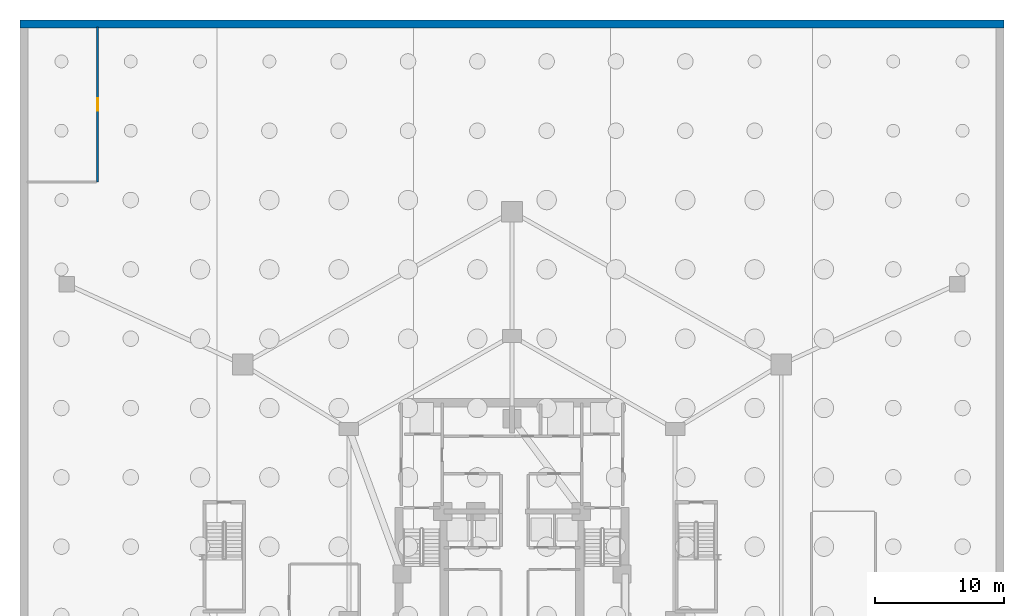
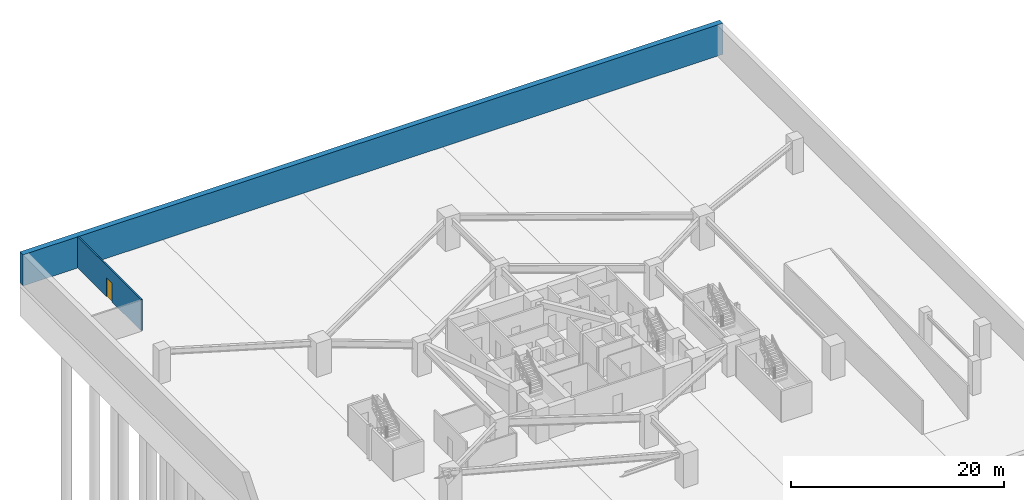
# One storey, part 10 of 14: 2 walls, 1 door, 1 opening.
"""IFC4 building model written with IfcOpenShell, lengths in metres."""

from ifc_helpers import new_model, si_unit, direction, frame, frame_2d, origin, place, context, subcontext, project, spatial, rectangle, extrude, material, layer, layer_set, type_object, element, fill, save


model = new_model("IFC4")

# Units and contexts
model_context = context("Model", 3, precision=1e-05, world=origin(), true_north=direction((0.0, 1.0)))
body_context = subcontext(model_context, "Body", "Model", "MODEL_VIEW")
ifc_project = project(units=[si_unit("LENGTHUNIT", "METRE"), si_unit("AREAUNIT", "SQUARE_METRE"), si_unit("VOLUMEUNIT", "CUBIC_METRE"), si_unit("PLANEANGLEUNIT", "RADIAN"), si_unit("MASSUNIT", "GRAM", prefix="KILO")], contexts=[model_context])

# Site, building, storey
site_placement = place(None, origin())
site = spatial("IfcSite", under=ifc_project, at=site_placement, CompositionType="ELEMENT")
building_placement = place(site_placement, origin())
building = spatial("IfcBuilding", under=site, at=building_placement, Name="Miruveldt Soraemaru", CompositionType="ELEMENT")
storey_placement = place(building_placement, frame((0.0, 0.0, -15.60009765625)))
storey = spatial("IfcBuildingStorey", under=building, at=storey_placement, Name="B4", CompositionType="ELEMENT", Elevation=-15.60009765625)

# Wall, opening, door
ifc_material_1 = material(Name="Concrete C40/50 (40 MPa)", Category="concrete")
ifc_layer_1 = layer(ifc_material_1, 0.159912109375, Name="Concrete C40/50 (40 MPa)", Category="concrete")
ifc_layer_set_1 = layer_set([ifc_layer_1], Name="Concrete C40/50 (40 MPa)")
wall_type_1 = type_object("IfcWallType", Name="WALL-INT-RC160", PredefinedType="SOLIDWALL", material=ifc_layer_set_1)
wall_1_placement = place(storey_placement, frame((12.0, 81.449951171875, 0.0), z_axis=(0.0, 0.0, 1.0), x_axis=(0.0, -1.0, 0.0)))
wall_1 = element("IfcWall", 1, at=wall_1_placement, inside=storey, type_object=wall_type_1, Name="B4 Partition Wall 1", PredefinedType="SOLIDWALL", context=body_context, shape_type="SweptSolid", body=[
    extrude(rectangle(XDim=11.949951171875, YDim=0.159912109375, at=frame_2d((5.97509765625, 0.0))), origin(), (0.0, 0.0, 1.0), 3.580078125),
])
opening_placement = place(wall_1_placement, frame((5.47509765625, 0.0, 0.0)))
opening = element("IfcOpeningElement", 2, at=opening_placement, cuts=wall_1, Name="Opening FD1", PredefinedType="OPENING", context=body_context, shape_type="SweptSolid", body=[
    extrude(rectangle(XDim=1.0, YDim=2.14990234375, at=frame_2d((0.5, 1.074951171875))), frame((0.0, 0.08984375, 0.0), z_axis=(0.0, -1.0, 0.0), x_axis=(1.0, 0.0, 0.0)), (0.0, 0.0, 1.0), 0.179931640625),
])
ifc_material_2 = material(Name="Anodised aluminium EN AW-6063 T6", Category="aluminium")
door_type = type_object("IfcDoorType", Name="DOOR-FD1-1000", OperationType="NOTDEFINED", PredefinedType="DOOR", material=ifc_material_2)
door_placement = place(opening_placement, origin())
door = element("IfcDoor", 3, at=door_placement, inside=storey, type_object=door_type, Name="B4 Stormwater Detention Pump Room Fire Door", OperationType="SINGLE_SWING_RIGHT", OverallHeight=2.14990234375, OverallWidth=1.0, PredefinedType="DOOR", context=body_context, shape_type="SweptSolid", body=[
    extrude(rectangle(XDim=1.0, YDim=2.14990234375, at=frame_2d((0.5, 1.074951171875))), frame((0.0, 0.02490234375, 0.0), z_axis=(0.0, -1.0, 0.0), x_axis=(1.0, 0.0, 0.0)), (0.0, 0.0, 1.0), 0.050048828125),
])
fill(opening, door)

# Wall
ifc_material_3 = material(Name="Concrete C50/60 (50 MPa)", Category="concrete")
ifc_layer_2 = layer(ifc_material_3, 0.60009765625, Name="Concrete C50/60 (50 MPa)", Category="concrete")
ifc_layer_set_2 = layer_set([ifc_layer_2], Name="Concrete C50/60 (50 MPa)")
wall_type_2 = type_object("IfcWallType", Name="WALL-RET-600", PredefinedType="SOLIDWALL", material=ifc_layer_set_2)
wall_2_placement = place(storey_placement, frame((82.0, 81.699951171875, 0.0), z_axis=(0.0, 0.0, 1.0), x_axis=(-1.0, 0.0, 0.0)))
element("IfcWall", 4, at=wall_2_placement, inside=storey, type_object=wall_type_2, Name="B4 Perimeter Slurry Retaining Wall N", PredefinedType="SOLIDWALL", context=body_context, shape_type="SweptSolid", body=[
    extrude(rectangle(XDim=76.0, YDim=0.60009765625, at=frame_2d((38.0, 0.0))), origin(), (0.0, 0.0, 1.0), 3.580078125),
])

save(model, "model.ifc")
